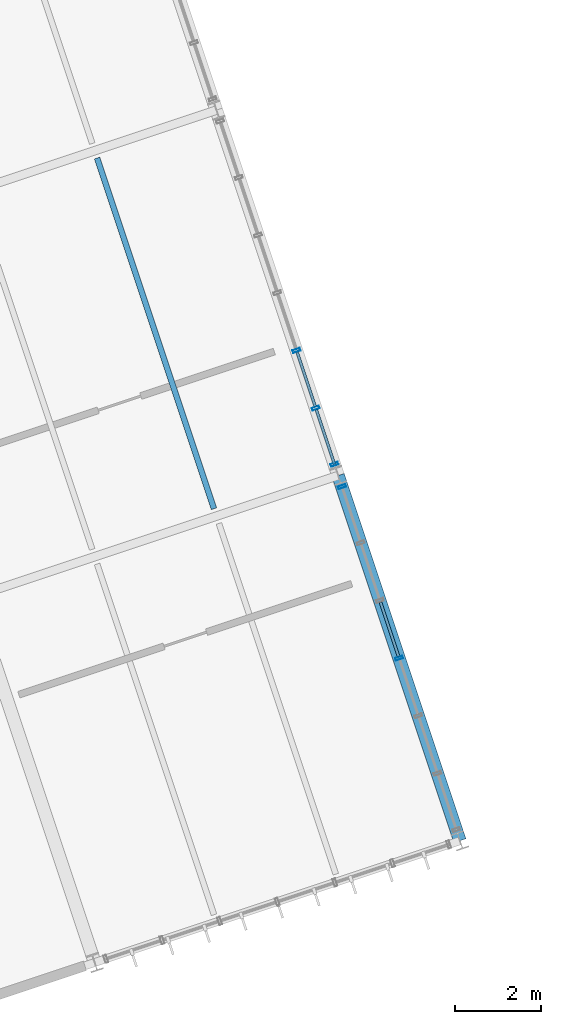
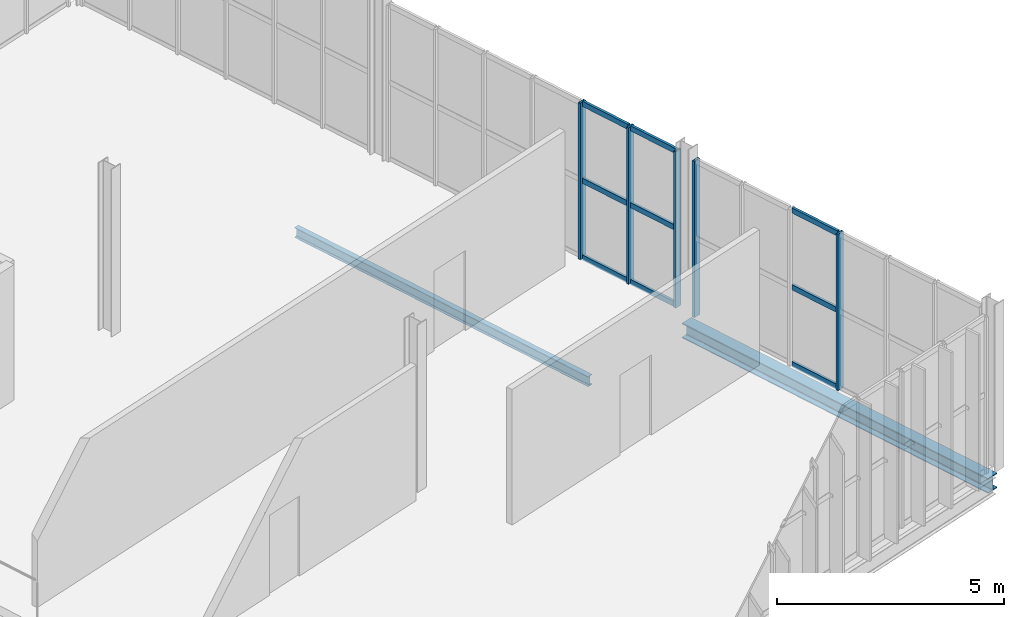
# One storey, part 87 of 152: 14 members, 2 beams, 2 elements without a shape of their own.
"""IFC4 building model written with IfcOpenShell, lengths in metres."""

from ifc_helpers import new_model, si_unit, derived_unit, direction, frame, origin, origin_2d, place, context, subcontext, project, spatial, hollow_rectangle, i_section, extrude, material, material_profile, profile_set, type_object, element, aggregate, save


model = new_model("IFC4")

# Units and contexts
model_context = context("Model", 3, precision=1e-05, world=origin(), true_north=direction((0.0, 1.0)))
body_context = subcontext(model_context, "Body", "Model", "MODEL_VIEW")
ifc_project = project(units=[si_unit("LENGTHUNIT", "METRE"), si_unit("AREAUNIT", "SQUARE_METRE"), si_unit("VOLUMEUNIT", "CUBIC_METRE"), si_unit("PLANEANGLEUNIT", "RADIAN"), si_unit("MASSUNIT", "GRAM", prefix="KILO"), si_unit("THERMODYNAMICTEMPERATUREUNIT", "KELVIN"), si_unit("TIMEUNIT", "SECOND"), derived_unit("THERMALTRANSMITTANCEUNIT", [(si_unit("MASSUNIT", "GRAM", prefix="KILO"), 1), (si_unit("THERMODYNAMICTEMPERATUREUNIT", "KELVIN"), -1), (si_unit("TIMEUNIT", "SECOND"), -3)])], contexts=[model_context])

# Site, building, storey
site_placement = place(None, origin())
site = spatial("IfcSite", under=ifc_project, at=site_placement, CompositionType="ELEMENT")
building_placement = place(site_placement, origin())
building = spatial("IfcBuilding", under=site, at=building_placement, Name="Cambertide Market Hall", CompositionType="ELEMENT")
storey_placement = place(building_placement, frame((0.0, 0.0, 5.39990234375)))
storey = spatial("IfcBuildingStorey", under=building, at=storey_placement, Name="L02", CompositionType="ELEMENT", Elevation=5.39990234375)

# Curtain wall, members
ifc_material_1 = material(Name="Marine Anodized Aluminium 6063-T6 AA25", Category="aluminium")
curtain_wall_type = type_object("IfcCurtainWallType", Name="Food Court Upper Glazed Facade", PredefinedType="USERDEFINED", material=ifc_material_1)
curtain_wall_1_placement = place(storey_placement, origin())
curtain_wall_1 = element("IfcCurtainWall", 1, at=curtain_wall_1_placement, inside=storey, type_object=curtain_wall_type, Name="Level 2 Curtain Wall CW-V3E-L02-1", ObjectType="UNITIZED CURTAIN WALL", PredefinedType="USERDEFINED")
ifc_material_2 = material(Name="Champagne Marine Anodized Aluminium 6063-T6 AA25", Category="aluminium")
ifc_material_profile_1 = material_profile(ifc_material_2, hollow_rectangle(XDim=0.06494140625, YDim=0.179931640625, WallThickness=0.00390625, at=origin_2d()), Name="ALU MULLION 65x180")
ifc_profile_set_1 = profile_set([ifc_material_profile_1], Name="Champagne Marine Anodized Aluminium 6063-T6 AA25")
member_type_1 = type_object("IfcMemberType", Name="Curtain Wall Mullion ALU MULLION 65x180", PredefinedType="MULLION", material=ifc_profile_set_1)
member_1_placement = place(storey_placement, frame((163.008056640625, 40.19970703125, 0.0), z_axis=(0.0, 0.0, 1.0), x_axis=(0.316227695598, -0.948683321523, 0.0)))
member_1 = element("IfcMember", 2, at=member_1_placement, type_object=member_type_1, Name="CW-V3E-L02-1 Mullion 1", PredefinedType="MULLION", context=body_context, shape_type="SweptSolid", body=[
    extrude(hollow_rectangle(XDim=0.06494140625, YDim=0.179931640625, WallThickness=0.00390625, at=origin_2d()), origin(), (0.0, 0.0, 1.0), 4.2001953125),
])
member_2_placement = place(storey_placement, frame((164.343994140625, 36.19140625, 0.0), z_axis=(0.0, 0.0, 1.0), x_axis=(0.316227695598, -0.948683321523, 0.0)))
member_2 = element("IfcMember", 3, at=member_2_placement, type_object=member_type_1, Name="CW-V3E-L02-1 Mullion 4", PredefinedType="MULLION", context=body_context, shape_type="SweptSolid", body=[
    extrude(hollow_rectangle(XDim=0.06494140625, YDim=0.179931640625, WallThickness=0.00390625, at=origin_2d()), origin(), (0.0, 0.0, 1.0), 4.2001953125),
])

curtain_wall_2_placement = place(storey_placement, origin())
curtain_wall_2 = element("IfcCurtainWall", 4, at=curtain_wall_2_placement, inside=storey, type_object=curtain_wall_type, Name="Level 2 Curtain Wall CW-V3E-L02-2", ObjectType="UNITIZED CURTAIN WALL", PredefinedType="USERDEFINED")
member_3_placement = place(storey_placement, frame((161.947021484375, 43.38232421875, 0.0), z_axis=(0.0, 0.0, 1.0), x_axis=(0.316227695598, -0.948683321523, 0.0)))
member_3 = element("IfcMember", 5, at=member_3_placement, type_object=member_type_1, Name="CW-V3E-L02-2 Mullion 5", PredefinedType="MULLION", context=body_context, shape_type="SweptSolid", body=[
    extrude(hollow_rectangle(XDim=0.06494140625, YDim=0.179931640625, WallThickness=0.00390625, at=origin_2d()), origin(), (0.0, 0.0, 1.0), 4.2001953125),
])
member_4_placement = place(storey_placement, frame((162.39599609375, 42.035400390625, 0.0), z_axis=(0.0, 0.0, 1.0), x_axis=(0.316227695598, -0.948683321523, 0.0)))
member_4 = element("IfcMember", 6, at=member_4_placement, type_object=member_type_1, Name="CW-V3E-L02-2 Mullion 6", PredefinedType="MULLION", context=body_context, shape_type="SweptSolid", body=[
    extrude(hollow_rectangle(XDim=0.06494140625, YDim=0.179931640625, WallThickness=0.00390625, at=origin_2d()), origin(), (0.0, 0.0, 1.0), 4.2001953125),
])
member_5_placement = place(storey_placement, frame((162.833984375, 40.721435546875, 0.0), z_axis=(0.0, 0.0, 1.0), x_axis=(0.316227695598, -0.948683321523, 0.0)))
member_5 = element("IfcMember", 7, at=member_5_placement, type_object=member_type_1, Name="CW-V3E-L02-2 Mullion 7", PredefinedType="MULLION", context=body_context, shape_type="SweptSolid", body=[
    extrude(hollow_rectangle(XDim=0.06494140625, YDim=0.179931640625, WallThickness=0.00390625, at=origin_2d()), origin(), (0.0, 0.0, 1.0), 4.2001953125),
])

# Member
ifc_material_3 = material(Name="Champagne Marine Anodized Aluminium 6063-T6 AA25", Category="aluminium")
ifc_material_profile_2 = material_profile(ifc_material_3, hollow_rectangle(XDim=0.06494140625, YDim=0.139892578125, WallThickness=0.00341796875, at=origin_2d()), Name="ALU TRANSOM 65x140")
ifc_profile_set_2 = profile_set([ifc_material_profile_2], Name="Champagne Marine Anodized Aluminium 6063-T6 AA25")
member_type_2 = type_object("IfcMemberType", Name="Curtain Wall Transom ALU TRANSOM 65x140", PredefinedType="USERDEFINED", material=ifc_profile_set_2)
member_6_placement = place(storey_placement, frame((163.90771484375, 37.50048828125, 0.03515625), z_axis=(0.316173095792, -0.948701519708, 0.0), x_axis=(0.948701519708, 0.316173095792, 0.0)))
member_6 = element("IfcMember", 8, at=member_6_placement, type_object=member_type_2, Name="CW-V3E-L02-1 Transom 1-3", ObjectType="TRANSOM", PredefinedType="USERDEFINED", context=body_context, shape_type="SweptSolid", body=[
    extrude(hollow_rectangle(XDim=0.06494140625, YDim=0.139892578125, WallThickness=0.00341796875, at=origin_2d()), origin(), (0.0, 0.0, 1.0), 1.33984375),
])

member_7_placement = place(storey_placement, frame((163.90771484375, 37.50048828125, 2.10009765625), z_axis=(0.316173095792, -0.948701519708, 0.0), x_axis=(0.948701519708, 0.316173095792, 0.0)))
member_7 = element("IfcMember", 9, at=member_7_placement, type_object=member_type_2, Name="CW-V3E-L02-1 Transom 2-3", ObjectType="TRANSOM", PredefinedType="USERDEFINED", context=body_context, shape_type="SweptSolid", body=[
    extrude(hollow_rectangle(XDim=0.06494140625, YDim=0.139892578125, WallThickness=0.00341796875, at=origin_2d()), origin(), (0.0, 0.0, 1.0), 1.33984375),
])

member_8_placement = place(storey_placement, frame((163.90771484375, 37.50048828125, 4.1650390625), z_axis=(0.316173095792, -0.948701519708, 0.0), x_axis=(0.948701519708, 0.316173095792, 0.0)))
member_8 = element("IfcMember", 10, at=member_8_placement, type_object=member_type_2, Name="CW-V3E-L02-1 Transom 3-3", ObjectType="TRANSOM", PredefinedType="USERDEFINED", context=body_context, shape_type="SweptSolid", body=[
    extrude(hollow_rectangle(XDim=0.06494140625, YDim=0.139892578125, WallThickness=0.00341796875, at=origin_2d()), origin(), (0.0, 0.0, 1.0), 1.33984375),
])

aggregate(curtain_wall_1, [member_1, member_2, member_6, member_7, member_8])

member_9_placement = place(storey_placement, frame((161.959716796875, 43.344482421875, 0.03515625), z_axis=(0.316118443418, -0.948719731918, 0.0), x_axis=(0.948719731918, 0.316118443418, 0.0)))
member_9 = element("IfcMember", 11, at=member_9_placement, type_object=member_type_2, Name="CW-V3E-L02-2 Transom 1-5", ObjectType="TRANSOM", PredefinedType="USERDEFINED", context=body_context, shape_type="SweptSolid", body=[
    extrude(hollow_rectangle(XDim=0.06494140625, YDim=0.139892578125, WallThickness=0.00341796875, at=origin_2d()), origin(), (0.0, 0.0, 1.0), 1.33984375),
])

member_10_placement = place(storey_placement, frame((162.40869140625, 41.997314453125, 0.03515625), z_axis=(0.316282422593, -0.948665077442, 0.0), x_axis=(0.948665077442, 0.316282422593, 0.0)))
member_10 = element("IfcMember", 12, at=member_10_placement, type_object=member_type_2, Name="CW-V3E-L02-2 Transom 1-6", ObjectType="TRANSOM", PredefinedType="USERDEFINED", context=body_context, shape_type="SweptSolid", body=[
    extrude(hollow_rectangle(XDim=0.06494140625, YDim=0.139892578125, WallThickness=0.00341796875, at=origin_2d()), origin(), (0.0, 0.0, 1.0), 1.340087890625),
])

member_11_placement = place(storey_placement, frame((161.959716796875, 43.344482421875, 2.10009765625), z_axis=(0.316118443418, -0.948719731918, 0.0), x_axis=(0.948719731918, 0.316118443418, 0.0)))
member_11 = element("IfcMember", 13, at=member_11_placement, type_object=member_type_2, Name="CW-V3E-L02-2 Transom 2-5", ObjectType="TRANSOM", PredefinedType="USERDEFINED", context=body_context, shape_type="SweptSolid", body=[
    extrude(hollow_rectangle(XDim=0.06494140625, YDim=0.139892578125, WallThickness=0.00341796875, at=origin_2d()), origin(), (0.0, 0.0, 1.0), 1.33984375),
])

member_12_placement = place(storey_placement, frame((162.40869140625, 41.997314453125, 2.10009765625), z_axis=(0.316282422593, -0.948665077442, 0.0), x_axis=(0.948665077442, 0.316282422593, 0.0)))
member_12 = element("IfcMember", 14, at=member_12_placement, type_object=member_type_2, Name="CW-V3E-L02-2 Transom 2-6", ObjectType="TRANSOM", PredefinedType="USERDEFINED", context=body_context, shape_type="SweptSolid", body=[
    extrude(hollow_rectangle(XDim=0.06494140625, YDim=0.139892578125, WallThickness=0.00341796875, at=origin_2d()), origin(), (0.0, 0.0, 1.0), 1.340087890625),
])

member_13_placement = place(storey_placement, frame((161.959716796875, 43.344482421875, 4.1650390625), z_axis=(0.316118443418, -0.948719731918, 0.0), x_axis=(0.948719731918, 0.316118443418, 0.0)))
member_13 = element("IfcMember", 15, at=member_13_placement, type_object=member_type_2, Name="CW-V3E-L02-2 Transom 3-5", ObjectType="TRANSOM", PredefinedType="USERDEFINED", context=body_context, shape_type="SweptSolid", body=[
    extrude(hollow_rectangle(XDim=0.06494140625, YDim=0.139892578125, WallThickness=0.00341796875, at=origin_2d()), origin(), (0.0, 0.0, 1.0), 1.33984375),
])

member_14_placement = place(storey_placement, frame((162.40869140625, 41.997314453125, 4.1650390625), z_axis=(0.316282422593, -0.948665077442, 0.0), x_axis=(0.948665077442, 0.316282422593, 0.0)))
member_14 = element("IfcMember", 16, at=member_14_placement, type_object=member_type_2, Name="CW-V3E-L02-2 Transom 3-6", ObjectType="TRANSOM", PredefinedType="USERDEFINED", context=body_context, shape_type="SweptSolid", body=[
    extrude(hollow_rectangle(XDim=0.06494140625, YDim=0.139892578125, WallThickness=0.00341796875, at=origin_2d()), origin(), (0.0, 0.0, 1.0), 1.340087890625),
])

aggregate(curtain_wall_2, [member_3, member_4, member_5, member_9, member_10, member_11, member_12, member_13, member_14])

# Beams
ifc_material_4 = material(Name="Steel S355", Category="steel")
ifc_material_profile_3 = material_profile(ifc_material_4, i_section(OverallWidth=0.300048828125, OverallDepth=0.39990234375, WebThickness=0.013427734375, FlangeThickness=0.02392578125, FilletRadius=0.027099609375, at=origin_2d()), Name="HEB 400")
ifc_profile_set_3 = profile_set([ifc_material_profile_3], Name="Steel S355")
beam_type_1 = type_object("IfcBeamType", Name="Steel Girder HEB 400", PredefinedType="BEAM", material=ifc_profile_set_3)
beam_1_placement = place(storey_placement, frame((165.76708984375, 31.92236328125, -0.449951171875), z_axis=(-0.31624404204, 0.948677872554, 0.0), x_axis=(-0.948677872554, -0.31624404204, 0.0)))
element("IfcBeam", 17, at=beam_1_placement, inside=storey, type_object=beam_type_1, Name="Level 2 Beam BM-V3V-L02-8-1", PredefinedType="BEAM", context=body_context, shape_type="SweptSolid", body=[
    extrude(i_section(OverallWidth=0.300048828125, OverallDepth=0.39990234375, WebThickness=0.013427734375, FlangeThickness=0.02392578125, FilletRadius=0.027099609375, at=origin_2d()), origin(), (0.0, 0.0, 1.0), 9.0),
])
ifc_material_5 = material(Name="Steel S275", Category="steel")
ifc_material_profile_4 = material_profile(ifc_material_5, i_section(OverallWidth=0.135009765625, OverallDepth=0.27001953125, WebThickness=0.006591796875, FlangeThickness=0.01025390625, FilletRadius=0.014892578125, at=origin_2d()), Name="IPE 270")
ifc_profile_set_4 = profile_set([ifc_material_profile_4], Name="Steel S275")
beam_type_2 = type_object("IfcBeamType", Name="Steel Secondary Joist IPE 270", PredefinedType="JOIST", material=ifc_profile_set_4)
beam_2_placement = place(storey_placement, frame((160.01806640625, 39.6826171875, -0.385009765625), z_axis=(-0.316227766017, 0.948683298051, 0.0), x_axis=(-0.948683298051, -0.316227766017, 0.0)))
element("IfcBeam", 18, at=beam_2_placement, inside=storey, type_object=beam_type_2, Name="Level 2 Joist JS-V3-L02-7-2-2", PredefinedType="JOIST", context=body_context, shape_type="SweptSolid", body=[
    extrude(i_section(OverallWidth=0.135009765625, OverallDepth=0.27001953125, WebThickness=0.006591796875, FlangeThickness=0.01025390625, FilletRadius=0.014892578125, at=origin_2d()), origin(), (0.0, 0.0, 1.0), 8.639892578125),
])

save(model, "model.ifc")
